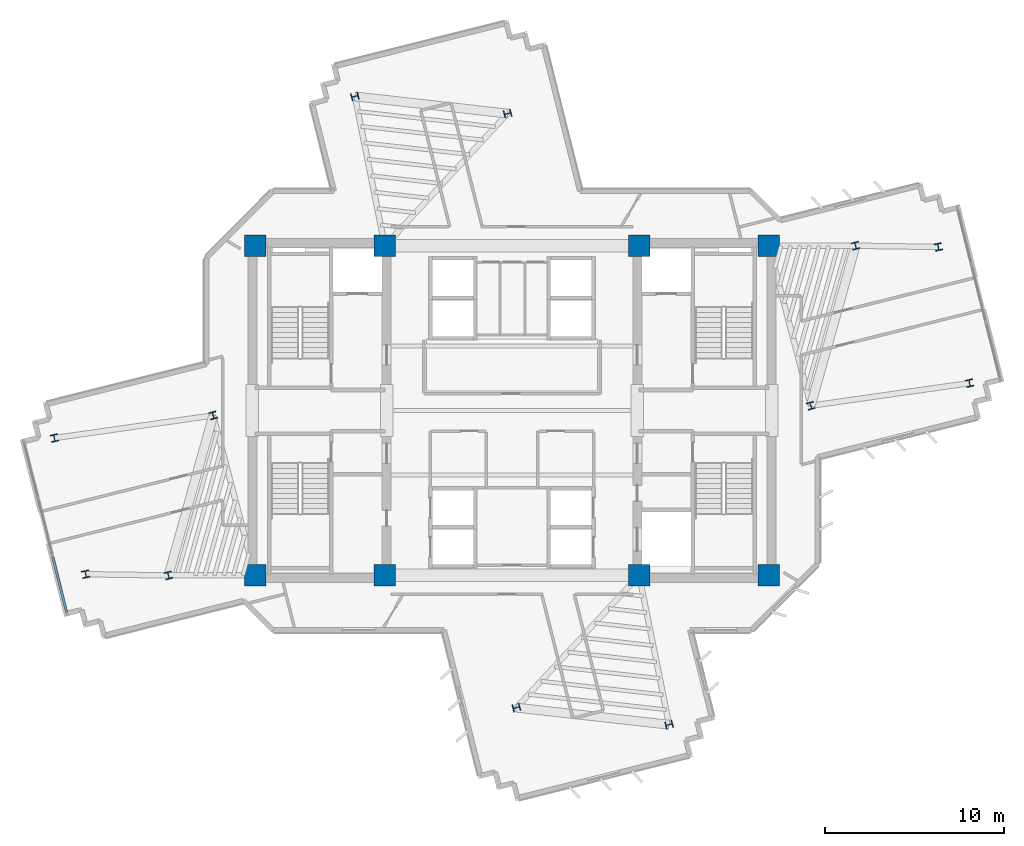
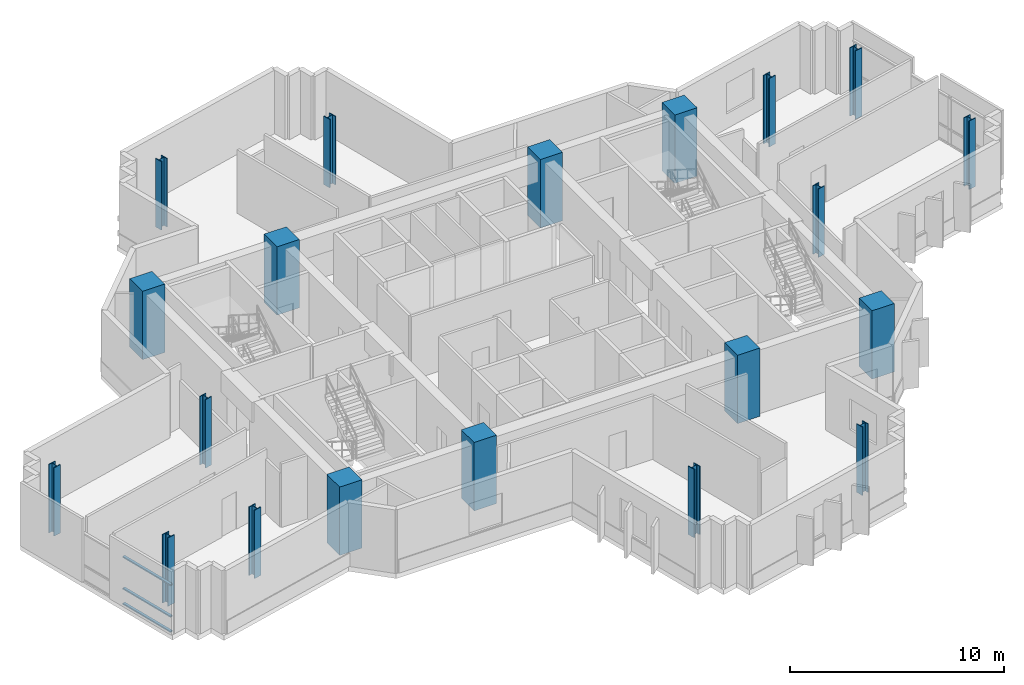
# One storey, part 1 of 13: 20 columns, 3 members, 1 element without a shape of its own.
"""IFC4 building model written with IfcOpenShell, lengths in metres."""

from ifc_helpers import new_model, si_unit, direction, frame, origin, origin_2d, place, context, subcontext, project, spatial, rectangle, i_section, extrude, source, transform, mapped, material, layer, layer_set, material_profile, profile_set, type_object, element, aggregate, save


model = new_model("IFC4")

# Units and contexts
model_context = context("Model", 3, precision=1e-05, world=origin(), true_north=direction((0.0, 1.0)))
body_context = subcontext(model_context, "Body", "Model", "MODEL_VIEW")
ifc_project = project(units=[si_unit("LENGTHUNIT", "METRE"), si_unit("AREAUNIT", "SQUARE_METRE"), si_unit("VOLUMEUNIT", "CUBIC_METRE"), si_unit("PLANEANGLEUNIT", "RADIAN"), si_unit("MASSUNIT", "GRAM", prefix="KILO")], contexts=[model_context])

# Site, building, storey
site_placement = place(None, origin())
site = spatial("IfcSite", under=ifc_project, at=site_placement, CompositionType="ELEMENT")
building_placement = place(site_placement, origin())
building = spatial("IfcBuilding", under=site, at=building_placement, Name="Zahravan Cultural Tower", CompositionType="ELEMENT")
storey_placement = place(building_placement, frame((0.0, 0.0, 186.300048828125)))
storey = spatial("IfcBuildingStorey", under=building, at=storey_placement, Name="L43", CompositionType="ELEMENT", Elevation=186.300048828125)

# Columns
ifc_material_1 = material(Name="Concrete C50/60", Category="concrete")
ifc_material_profile_1 = material_profile(ifc_material_1, rectangle(XDim=1.199951171875, YDim=1.199951171875, at=origin_2d()), Name="RC1200X1200")
ifc_profile_set_1 = profile_set([ifc_material_profile_1], Name="Concrete C50/60")
column_type_1 = type_object("IfcColumnType", Name="COL-RC1200", PredefinedType="COLUMN", material=ifc_profile_set_1)
shared_shape_1 = source(origin(), body_context, "Body", "SweptSolid", [
    extrude(rectangle(XDim=1.199951171875, YDim=1.199951171875, at=origin_2d()), origin(), (0.0, 0.0, 1.0), 3.89990234375),
])
for number, where, z_axis, x_axis, name in (
    (1, (21.64990234375, 17.800048828125, 0.0), (0.0, 0.0, 1.0), (1.0, 0.0, 0.0), "L43 Column CC-W1"),
    (2, (28.89990234375, 17.800048828125, 0.0), (0.0, 0.0, 1.0), (1.0, 0.0, 0.0), "L43 Column CC-W2"),
    (3, (21.64990234375, 36.199951171875, 0.0), (0.0, 0.0, 1.0), (1.0, 0.0, 0.0), "L43 Column CC-W3"),
    (4, (28.89990234375, 36.199951171875, 0.0), (0.0, 0.0, 1.0), (1.0, 0.0, 0.0), "L43 Column CC-W4"),
    (5, (43.10009765625, 17.800048828125, 0.0), (0.0, 0.0, 1.0), (1.0, 0.0, 0.0), "L43 Column CC-E1"),
    (6, (50.35009765625, 17.800048828125, 0.0), (0.0, 0.0, 1.0), (1.0, 0.0, 0.0), "L43 Column CC-E2"),
    (7, (43.10009765625, 36.199951171875, 0.0), (0.0, 0.0, 1.0), (1.0, 0.0, 0.0), "L43 Column CC-E3"),
    (8, (50.35009765625, 36.199951171875, 0.0), (0.0, 0.0, 1.0), (1.0, 0.0, 0.0), "L43 Column CC-E4"),
):
    element("IfcColumn", number, at=place(storey_placement, frame(where, z_axis=z_axis, x_axis=x_axis)), inside=storey, type_object=column_type_1, Name=name, PredefinedType="COLUMN", context=body_context, shape_type="MappedRepresentation", body=[
        mapped(shared_shape_1, transform((0.0, 0.0, 0.0), x_axis=(1.0, 0.0, 0.0), y_axis=(0.0, 1.0, 0.0), z_axis=(0.0, 0.0, 1.0), scale=1.0)),
    ])
ifc_material_2 = material(Name="Steel ASTM A992 Grade 50", Category="steel")
ifc_material_profile_2 = material_profile(ifc_material_2, i_section(OverallWidth=0.404052734375, OverallDepth=0.406982421875, WebThickness=0.027099609375, FlangeThickness=0.043701171875, FilletRadius=0.01806640625, at=origin_2d()), Name="W14X233")
ifc_profile_set_2 = profile_set([ifc_material_profile_2], Name="Steel ASTM A992 Grade 50")
column_type_2 = type_object("IfcColumnType", Name="COL-W14X233", PredefinedType="COLUMN", material=ifc_profile_set_2)
shared_shape_2 = source(origin(), body_context, "Body", "SweptSolid", [
    extrude(i_section(OverallWidth=0.404052734375, OverallDepth=0.406982421875, WebThickness=0.027099609375, FlangeThickness=0.043701171875, FilletRadius=0.01806640625, at=origin_2d()), origin(), (0.0, 0.0, 1.0), 3.89990234375),
])
for number, where, z_axis, x_axis, name in (
    (9, (52.684326171875, 27.27099609375, 0.0), (0.0, 0.0, 1.0), (0.966823388604, 0.255445757936, 0.0), "L43 Column Z2C-E1"),
    (10, (55.184814453125, 36.2060546875, 0.0), (0.0, 0.0, 1.0), (0.966823388604, 0.255445757936, 0.0), "L43 Column Z2C-E2"),
    (11, (35.754638671875, 43.587646484375, 0.0), (0.0, 0.0, 1.0), (-0.255445757936, 0.966823388604, 0.0), "L43 Column Z2C-N1"),
    (12, (27.22802734375, 44.541259765625, 0.0), (0.0, 0.0, 1.0), (-0.255445757936, 0.966823388604, 0.0), "L43 Column Z2C-N2"),
    (13, (19.315673828125, 26.72900390625, 0.0), (0.0, 0.0, 1.0), (0.966823388604, 0.255445757936, 0.0), "L43 Column Z2C-W1"),
    (14, (16.815185546875, 17.7939453125, 0.0), (0.0, 0.0, 1.0), (0.966823388604, 0.255445757936, 0.0), "L43 Column Z2C-W2"),
    (15, (36.245361328125, 10.412353515625, 0.0), (0.0, 0.0, 1.0), (-0.255445757936, 0.966823388604, 0.0), "L43 Column Z2C-S1"),
    (16, (44.77197265625, 9.458740234375, 0.0), (0.0, 0.0, 1.0), (-0.255445757936, 0.966823388604, 0.0), "L43 Column Z2C-S2"),
    (17, (61.552734375, 28.53466796875, 0.0), (0.0, 0.0, 1.0), (0.977415894286, 0.211324796455, 0.0), "L43 Column Z2T-E1"),
    (18, (59.806640625, 36.13720703125, 0.0), (0.0, 0.0, 1.0), (0.977415894286, 0.211324796455, 0.0), "L43 Column Z2T-E2"),
    (19, (10.447265625, 25.46533203125, 0.0), (0.0, 0.0, 1.0), (0.977415894286, 0.211324796455, 0.0), "L43 Column Z2T-W1"),
    (20, (12.193359375, 17.86279296875, 0.0), (0.0, 0.0, 1.0), (0.977415894286, 0.211324796455, 0.0), "L43 Column Z2T-W2"),
):
    element("IfcColumn", number, at=place(storey_placement, frame(where, z_axis=z_axis, x_axis=x_axis)), inside=storey, type_object=column_type_2, Name=name, PredefinedType="COLUMN", context=body_context, shape_type="MappedRepresentation", body=[
        mapped(shared_shape_2, transform((0.0, 0.0, 0.0), x_axis=(1.0, 0.0, 0.0), y_axis=(0.0, 1.0, 0.0), z_axis=(0.0, 0.0, 1.0), scale=1.0)),
    ])

# Curtain wall, members
ifc_material_3 = material(Name="Anodised bronze-aluminium mullion", Category="aluminium")
ifc_layer = layer(ifc_material_3, 0.179931640625)
ifc_layer_set = layer_set([ifc_layer], Name="Anodised bronze-aluminium mullion")
curtain_wall_type = type_object("IfcCurtainWallType", Name="CW-SYS-3", PredefinedType="USERDEFINED", material=ifc_layer_set)
curtain_wall_placement = place(storey_placement, origin())
curtain_wall = element("IfcCurtainWall", 21, at=curtain_wall_placement, inside=storey, type_object=curtain_wall_type, Name="L43 Recessed Curtain Wall CW-3.2", ObjectType="RECESSED GLAZING", PredefinedType="USERDEFINED")
ifc_material_profile_3 = material_profile(ifc_material_3, rectangle(XDim=0.139892578125, YDim=0.070068359375, at=origin_2d()), Name="AL-T70X140")
ifc_profile_set_3 = profile_set([ifc_material_profile_3], Name="Anodised bronze-aluminium mullion")
member_type = type_object("IfcMemberType", Name="CWT-CW-3", PredefinedType="USERDEFINED", material=ifc_profile_set_3)
shared_shape_3 = source(origin(), body_context, "Body", "SweptSolid", [
    extrude(rectangle(XDim=0.139892578125, YDim=0.070068359375, at=origin_2d()), origin(), (0.0, 0.0, 1.0), 3.20166015625),
])
member_1_placement = place(storey_placement, frame((11.1328125, 15.731201171875, 0.034912109375), z_axis=(-0.242948276951, 0.97003924391, 0.0), x_axis=(-0.97003924391, -0.242948276951, 0.0)))
member_1 = element("IfcMember", 22, at=member_1_placement, type_object=member_type, Name="CW-3 transom 1.1", ObjectType="TRANSOM", PredefinedType="USERDEFINED", context=body_context, shape_type="MappedRepresentation", body=[
    mapped(shared_shape_3, transform((0.0, 0.0, 0.0), x_axis=(1.0, 0.0, 0.0), y_axis=(0.0, 1.0, 0.0), z_axis=(0.0, 0.0, 1.0), scale=1.0)),
])
member_2_placement = place(storey_placement, frame((11.1328125, 15.731201171875, 0.89990234375), z_axis=(-0.242948276951, 0.97003924391, 0.0), x_axis=(-0.97003924391, -0.242948276951, 0.0)))
member_2 = element("IfcMember", 23, at=member_2_placement, type_object=member_type, Name="CW-3 transom 1.2", ObjectType="TRANSOM", PredefinedType="USERDEFINED", context=body_context, shape_type="MappedRepresentation", body=[
    mapped(shared_shape_3, transform((0.0, 0.0, 0.0), x_axis=(1.0, 0.0, 0.0), y_axis=(0.0, 1.0, 0.0), z_axis=(0.0, 0.0, 1.0), scale=1.0)),
])
member_3_placement = place(storey_placement, frame((11.1328125, 15.731201171875, 2.704833984375), z_axis=(-0.242948276951, 0.97003924391, 0.0), x_axis=(-0.97003924391, -0.242948276951, 0.0)))
member_3 = element("IfcMember", 24, at=member_3_placement, type_object=member_type, Name="CW-3 transom 1.3", ObjectType="TRANSOM", PredefinedType="USERDEFINED", context=body_context, shape_type="MappedRepresentation", body=[
    mapped(shared_shape_3, transform((0.0, 0.0, 0.0), x_axis=(1.0, 0.0, 0.0), y_axis=(0.0, 1.0, 0.0), z_axis=(0.0, 0.0, 1.0), scale=1.0)),
])
aggregate(curtain_wall, [member_1, member_2, member_3])

save(model, "model.ifc")
